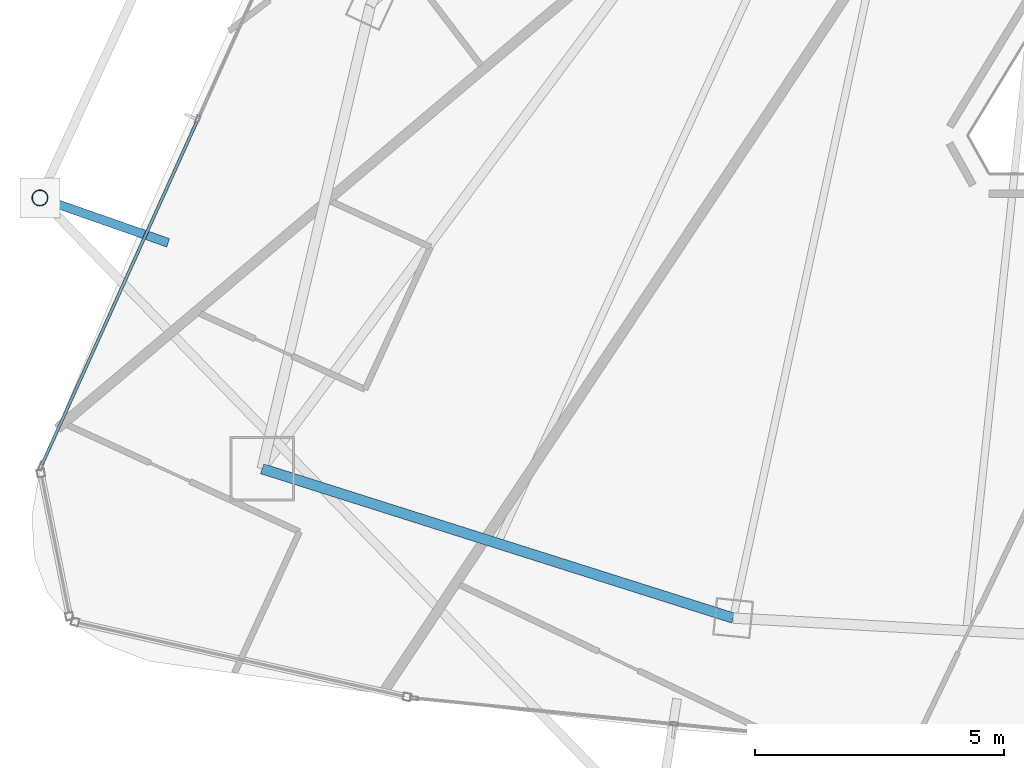
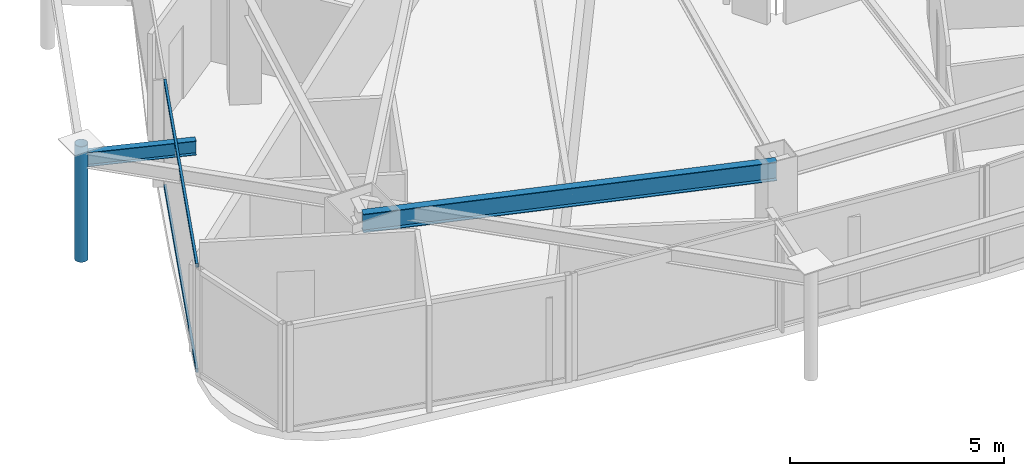
# One storey, part 5 of 33: 3 members, 2 beams, 1 element without a shape of its own.
"""IFC4 building model written with IfcOpenShell, lengths in metres."""

from ifc_helpers import new_model, si_unit, direction, frame, origin, origin_2d, place, context, subcontext, project, spatial, hollow_rectangle, hollow_circle, i_section, extrude, material, layer, layer_set, material_profile, profile_set, type_object, element, aggregate, save


model = new_model("IFC4")

# Units and contexts
model_context = context("Model", 3, precision=1e-05, world=origin(), true_north=direction((0.0, 1.0)))
body_context = subcontext(model_context, "Body", "Model", "MODEL_VIEW")
ifc_project = project(units=[si_unit("LENGTHUNIT", "METRE"), si_unit("AREAUNIT", "SQUARE_METRE"), si_unit("VOLUMEUNIT", "CUBIC_METRE"), si_unit("PLANEANGLEUNIT", "RADIAN"), si_unit("MASSUNIT", "GRAM", prefix="KILO")], contexts=[model_context])

# Site, building, storey
site_placement = place(None, origin())
site = spatial("IfcSite", under=ifc_project, at=site_placement, CompositionType="ELEMENT")
building_placement = place(site_placement, origin())
building = spatial("IfcBuilding", under=site, at=building_placement, Name="Orvanel Arch Residences", CompositionType="ELEMENT")
storey_placement = place(building_placement, frame((0.0, 0.0, 212.89990234375)))
storey = spatial("IfcBuildingStorey", under=building, at=storey_placement, Name="L60", CompositionType="ELEMENT", Elevation=212.89990234375)

# Beams
ifc_material_1 = material(Name="Structural steel AS/NZS 3679.1 Grade 300 (300 MPa)", Category="steel")
ifc_material_profile_1 = material_profile(ifc_material_1, i_section(OverallWidth=0.177978515625, OverallDepth=0.406005859375, WebThickness=0.0078125, FlangeThickness=0.0126953125, at=origin_2d()), Name="410UB59.7")
ifc_profile_set_1 = profile_set([ifc_material_profile_1], Name="Structural steel AS/NZS 3679.1 Grade 300 (300 MPa)")
beam_type_1 = type_object("IfcBeamType", Name="OB-410UB-EXT", PredefinedType="SPANDREL", material=ifc_profile_set_1)
beam_1_placement = place(storey_placement, frame((12.31298828125, 14.885009765625, 2.857177734375), z_axis=(-0.943932339039, 0.330138969703, 0.0), x_axis=(-0.330138969703, -0.943932339039, 0.0)))
element("IfcBeam", 1, at=beam_1_placement, inside=storey, type_object=beam_type_1, Name="L60 Outer Frame Radial Tie Beam 04", PredefinedType="SPANDREL", context=body_context, shape_type="SweptSolid", body=[
    extrude(i_section(OverallWidth=0.177978515625, OverallDepth=0.406005859375, WebThickness=0.0078125, FlangeThickness=0.0126953125, at=origin_2d()), origin(), (0.0, 0.0, 1.0), 2.725830078125),
])
ifc_material_profile_2 = material_profile(ifc_material_1, i_section(OverallWidth=0.208984375, OverallDepth=0.532958984375, WebThickness=0.01025390625, FlangeThickness=0.015625, at=origin_2d()), Name="530UB92.4")
ifc_profile_set_2 = profile_set([ifc_material_profile_2], Name="Structural steel AS/NZS 3679.1 Grade 300 (300 MPa)")
beam_type_2 = type_object("IfcBeamType", Name="SP-530UB", PredefinedType="SPANDREL", material=ifc_profile_set_2)
beam_2_placement = place(storey_placement, frame((14.198974609375, 10.35107421875, 2.794189453125), z_axis=(0.953237386592, -0.302222574941, 0.0), x_axis=(0.302222574941, 0.953237386592, 0.0)))
element("IfcBeam", 2, at=beam_2_placement, inside=storey, type_object=beam_type_2, Name="L60 Perimeter Spandrel Beam 02", PredefinedType="SPANDREL", context=body_context, shape_type="SweptSolid", body=[
    extrude(i_section(OverallWidth=0.208984375, OverallDepth=0.532958984375, WebThickness=0.01025390625, FlangeThickness=0.015625, at=origin_2d()), origin(), (0.0, 0.0, 1.0), 9.91357421875),
])

# Member
ifc_material_2 = material(Name="Structural steel AS/NZS 1163 C350L0 (Grade 350)", Category="steel")
ifc_material_profile_3 = material_profile(ifc_material_2, hollow_circle(Radius=0.162109375, WallThickness=0.0126953125, at=origin_2d()), Name="CHS324x12.7")
ifc_profile_set_3 = profile_set([ifc_material_profile_3], Name="Structural steel AS/NZS 1163 C350L0 (Grade 350)")
member_type_1 = type_object("IfcMemberType", Name="ST-324CHS-EXT", PredefinedType="STRUT", material=ifc_profile_set_3)
member_1_placement = place(storey_placement, frame((9.739990234375, 15.784912109375, 0.0), z_axis=(0.0, 0.0, 1.0), x_axis=(1.0, 0.0, 0.0)))
element("IfcMember", 3, at=member_1_placement, inside=storey, type_object=member_type_1, Name="L60 Outer Perimeter Frame Post 04", PredefinedType="STRUT", context=body_context, shape_type="SweptSolid", body=[
    extrude(hollow_circle(Radius=0.162109375, WallThickness=0.0126953125, at=origin_2d()), origin(), (0.0, 0.0, 1.0), 3.300048828125),
])

# Curtain wall, members
ifc_material_3 = material(Name="Bronze-anodised aluminium AA6063-T6", Category="aluminium")
ifc_layer = layer(ifc_material_3, 0.175048828125)
ifc_layer_set = layer_set([ifc_layer], Name="Bronze-anodised aluminium AA6063-T6")
curtain_wall_type = type_object("IfcCurtainWallType", Name="CW4-HI-SYS", PredefinedType="NOTDEFINED", material=ifc_layer_set)
curtain_wall_placement = place(storey_placement, origin())
curtain_wall = element("IfcCurtainWall", 4, at=curtain_wall_placement, inside=storey, type_object=curtain_wall_type, Name="L60 CW4-HI-SYS Unitised Curtain Wall", PredefinedType="NOTDEFINED")
ifc_material_profile_4 = material_profile(ifc_material_3, hollow_rectangle(XDim=0.06005859375, YDim=0.1201171875, WallThickness=0.00341796875, at=origin_2d()), Name="ALU120x60x3.5")
ifc_profile_set_4 = profile_set([ifc_material_profile_4], Name="Bronze-anodised aluminium AA6063-T6")
member_type_2 = type_object("IfcMemberType", Name="TRN-120x60", PredefinedType="USERDEFINED", material=ifc_profile_set_4)
member_2_placement = place(storey_placement, frame((12.892578125, 17.326416015625, 0.030029296875), z_axis=(-0.411514102844, -0.911403392116, 0.0), x_axis=(0.911403392116, -0.411514102844, 0.0)))
member_2 = element("IfcMember", 5, at=member_2_placement, type_object=member_type_2, Name="CW-S4 transom 2.1", ObjectType="TRANSOM", PredefinedType="USERDEFINED", context=body_context, shape_type="SweptSolid", body=[
    extrude(hollow_rectangle(XDim=0.06005859375, YDim=0.1201171875, WallThickness=0.00341796875, at=origin_2d()), origin(), (0.0, 0.0, 1.0), 7.566650390625),
])
member_3_placement = place(storey_placement, frame((12.892578125, 17.326416015625, 3.030029296875), z_axis=(-0.411514102844, -0.911403392116, 0.0), x_axis=(0.911403392116, -0.411514102844, 0.0)))
member_3 = element("IfcMember", 6, at=member_3_placement, type_object=member_type_2, Name="CW-S4 transom 2.2", ObjectType="TRANSOM", PredefinedType="USERDEFINED", context=body_context, shape_type="SweptSolid", body=[
    extrude(hollow_rectangle(XDim=0.06005859375, YDim=0.1201171875, WallThickness=0.00341796875, at=origin_2d()), origin(), (0.0, 0.0, 1.0), 7.566650390625),
])
aggregate(curtain_wall, [member_2, member_3])

save(model, "model.ifc")
